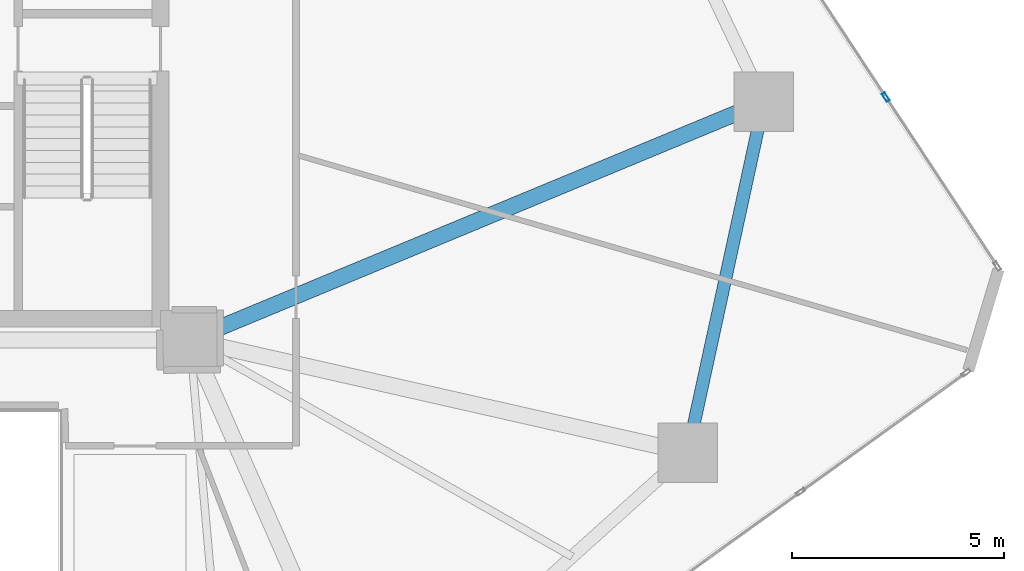
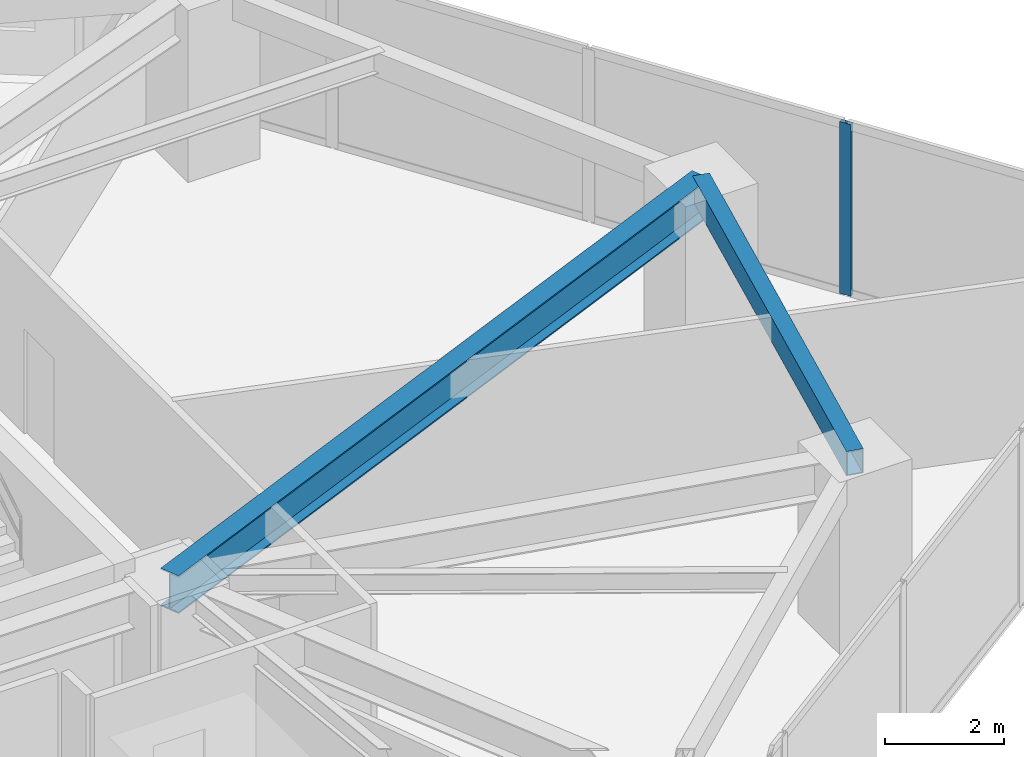
# One storey, part 11 of 22: 2 beams, 1 member, 1 element without a shape of its own.
"""IFC4 building model written with IfcOpenShell, lengths in metres."""

from ifc_helpers import new_model, si_unit, direction, frame, origin, origin_2d, place, context, subcontext, project, spatial, hollow_rectangle, i_section, extrude, source, transform, mapped, material, layer, layer_set, material_profile, profile_set, type_object, type_shapes, element, aggregate, save


model = new_model("IFC4")

# Units and contexts
model_context = context("Model", 3, precision=1e-05, world=origin(), true_north=direction((0.0, 1.0)))
body_context = subcontext(model_context, "Body", "Model", "MODEL_VIEW")
ifc_project = project(units=[si_unit("LENGTHUNIT", "METRE"), si_unit("AREAUNIT", "SQUARE_METRE"), si_unit("VOLUMEUNIT", "CUBIC_METRE"), si_unit("PLANEANGLEUNIT", "RADIAN"), si_unit("MASSUNIT", "GRAM", prefix="KILO")], contexts=[model_context])

# Site, building, storey
site_placement = place(None, origin())
site = spatial("IfcSite", under=ifc_project, at=site_placement, CompositionType="ELEMENT")
building_placement = place(site_placement, origin())
building = spatial("IfcBuilding", under=site, at=building_placement, Name="Talar Marvaseh", CompositionType="ELEMENT")
storey_placement = place(building_placement, frame((0.0, 0.0, 65.800048828125)))
storey = spatial("IfcBuildingStorey", under=building, at=storey_placement, Name="L16", CompositionType="ELEMENT", Elevation=65.800048828125)

# Beams
ifc_material_1 = material(Name="Steel S355", Category="steel")
ifc_material_profile_1 = material_profile(ifc_material_1, hollow_rectangle(XDim=0.300048828125, YDim=0.5, WallThickness=0.02001953125, at=origin_2d()), Name="RHS500x300x20")
ifc_profile_set_1 = profile_set([ifc_material_profile_1], Name="Steel S355")
beam_type_1 = type_object("IfcBeamType", Name="Zone 1 Perimeter Spandrel Beam RHS500x300x20", PredefinedType="SPANDREL", material=ifc_profile_set_1)
beam_1_placement = place(storey_placement, frame((46.841064453125, 31.118896484375, 3.27001953125), z_axis=(-0.212134113363, -0.977240562987, 0.0), x_axis=(0.977240562987, -0.212134113363, 0.0)))
element("IfcBeam", 1, at=beam_1_placement, inside=storey, type_object=beam_type_1, Name="L16 Zone 1 Perimeter Spandrel Beam RHS500x300x20", PredefinedType="SPANDREL", context=body_context, shape_type="SweptSolid", body=[
    extrude(hollow_rectangle(XDim=0.300048828125, YDim=0.5, WallThickness=0.02001953125, at=origin_2d()), origin(), (0.0, 0.0, 1.0), 8.4716796875),
])
ifc_material_profile_2 = material_profile(ifc_material_1, i_section(OverallWidth=0.381103515625, OverallDepth=0.77294921875, WebThickness=0.0166015625, FlangeThickness=0.027099609375, at=origin_2d()), Name="W760x257")
ifc_profile_set_2 = profile_set([ifc_material_profile_2], Name="Steel S355")
beam_type_2 = type_object("IfcBeamType", Name="Zone 1 Radial Floor Girder W760x257", PredefinedType="BEAM", material=ifc_profile_set_2)
beam_2_placement = place(storey_placement, frame((46.841064453125, 31.118896484375, 3.133544921875), z_axis=(-0.923637605375, -0.383266974753, 0.0), x_axis=(0.383266974753, -0.923637605375, 0.0)))
element("IfcBeam", 2, at=beam_2_placement, inside=storey, type_object=beam_type_2, Name="L16 Zone 1 Radial Floor Girder W760x257", PredefinedType="BEAM", context=body_context, shape_type="SweptSolid", body=[
    extrude(i_section(OverallWidth=0.381103515625, OverallDepth=0.77294921875, WebThickness=0.0166015625, FlangeThickness=0.027099609375, at=origin_2d()), origin(), (0.0, 0.0, 1.0), 14.66064453125),
])

# Curtain wall, member
ifc_material_2 = material(Name="Architectural Aluminium", Category="aluminium")
ifc_layer = layer(ifc_material_2, 0.219970703125)
ifc_layer_set = layer_set([ifc_layer], Name="Architectural Aluminium")
curtain_wall_type = type_object("IfcCurtainWallType", Name="Unitised Low-E Museum Curtain Wall Z1", PredefinedType="NOTDEFINED", material=ifc_layer_set)
curtain_wall_placement = place(storey_placement, origin())
curtain_wall = element("IfcCurtainWall", 3, at=curtain_wall_placement, inside=storey, type_object=curtain_wall_type, Name="L16 Unitised Low-E Museum Curtain Wall Z1", PredefinedType="NOTDEFINED")
ifc_material_profile_3 = material_profile(ifc_material_2, hollow_rectangle(XDim=0.080078125, YDim=0.219970703125, WallThickness=0.0048828125, at=origin_2d()), Name="RHS220x80x5")
ifc_profile_set_3 = profile_set([ifc_material_profile_3], Name="Architectural Aluminium")
member_type = type_object("IfcMemberType", Name="Unitised Curtain Wall Heavy Mullion RHS220x80x5", PredefinedType="MULLION", material=ifc_profile_set_3)
shared_shape = source(origin(), body_context, "Body", "SweptSolid", [
    extrude(hollow_rectangle(XDim=0.080078125, YDim=0.219970703125, WallThickness=0.0048828125, at=origin_2d()), origin(), (0.0, 0.0, 1.0), 3.52001953125),
])
type_shapes(member_type, [shared_shape])
member_placement = place(storey_placement, frame((49.719970703125, 31.22900390625, 0.0), z_axis=(0.0, 0.0, 1.0), x_axis=(0.834809984106, 0.550538182542, 0.0)))
member = element("IfcMember", 4, at=member_placement, type_object=member_type, Name="CW-Z1 mullion 4", PredefinedType="MULLION", context=body_context, shape_type="MappedRepresentation", body=[
    mapped(shared_shape, transform((0.0, 0.0, 0.0), x_axis=(1.0, 0.0, 0.0), y_axis=(0.0, 1.0, 0.0), z_axis=(0.0, 0.0, 1.0), scale=1.0)),
])
aggregate(curtain_wall, [member])

save(model, "model.ifc")
